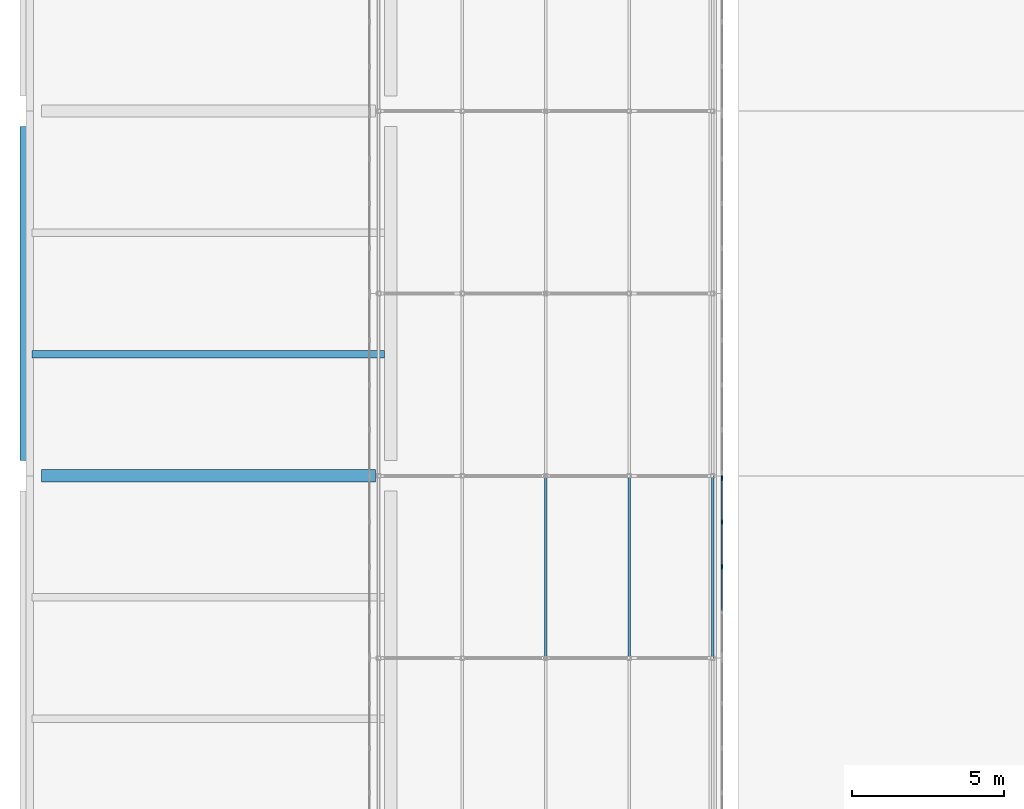
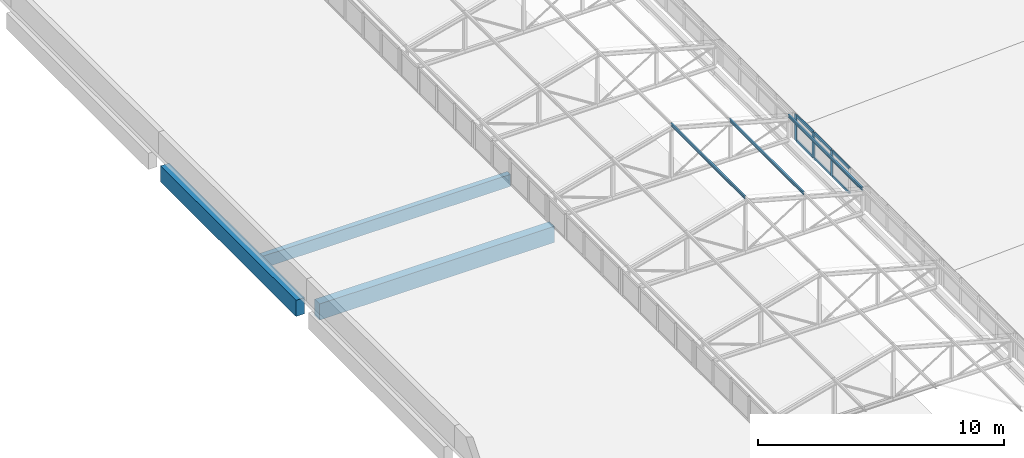
# One storey, part 31 of 94: 12 members, 3 beams, 1 element without a shape of its own.
"""IFC4 building model written with IfcOpenShell, lengths in metres."""

from ifc_helpers import new_model, si_unit, direction, frame, origin, origin_2d, place, context, subcontext, project, spatial, rectangle, i_section, extrude, material, layer, layer_set, material_profile, profile_set, type_object, element, aggregate, save


model = new_model("IFC4")

# Units and contexts
model_context = context("Model", 3, precision=1e-05, world=origin(), true_north=direction((0.0, 1.0)))
body_context = subcontext(model_context, "Body", "Model", "MODEL_VIEW")
ifc_project = project(units=[si_unit("LENGTHUNIT", "METRE"), si_unit("AREAUNIT", "SQUARE_METRE"), si_unit("VOLUMEUNIT", "CUBIC_METRE"), si_unit("PLANEANGLEUNIT", "RADIAN"), si_unit("MASSUNIT", "GRAM", prefix="KILO")], contexts=[model_context])

# Site, building, storey
site_placement = place(None, origin())
site = spatial("IfcSite", under=ifc_project, at=site_placement, CompositionType="ELEMENT")
building_placement = place(site_placement, origin())
building = spatial("IfcBuilding", under=site, at=building_placement, Name="Lilac Gate Convention Centre", CompositionType="ELEMENT")
storey_placement = place(building_placement, frame((0.0, 0.0, 21.0)))
storey = spatial("IfcBuildingStorey", under=building, at=storey_placement, Name="L04", CompositionType="ELEMENT", Elevation=21.0)

# Curtain wall, members
ifc_material_1 = material(Name="Aluminium framed double glazing", Category="aluminium")
ifc_layer = layer(ifc_material_1, 0.199951171875)
ifc_layer_set = layer_set([ifc_layer], Name="Aluminium framed double glazing")
curtain_wall_type = type_object("IfcCurtainWallType", Name="Unitised curtain wall 1500", PredefinedType="NOTDEFINED", material=ifc_layer_set)
curtain_wall_placement = place(storey_placement, origin())
curtain_wall = element("IfcCurtainWall", 1, at=curtain_wall_placement, inside=storey, type_object=curtain_wall_type, Name="Lantern clerestory E 16", PredefinedType="NOTDEFINED")
ifc_material_2 = material(Name="Aluminium alloy 6063", Category="aluminium")
ifc_material_profile_1 = material_profile(ifc_material_2, rectangle(XDim=0.06005859375, YDim=0.159912109375, at=origin_2d()), Name="Curtain wall mullion 60 x 160")
ifc_profile_set_1 = profile_set([ifc_material_profile_1], Name="Aluminium alloy 6063")
member_type_1 = type_object("IfcMemberType", Name="Curtain wall mullion 60 x 160", PredefinedType="MULLION", material=ifc_profile_set_1)
member_1_placement = place(storey_placement, frame((28.89990234375, 123.012451171875, 0.0), z_axis=(0.0, 0.0, 1.0), x_axis=(-1.0, 0.0, 0.0)))
member_1 = element("IfcMember", 2, at=member_1_placement, type_object=member_type_1, Name="CW mullion 3", PredefinedType="MULLION", context=body_context, shape_type="SweptSolid", body=[
    extrude(rectangle(XDim=0.06005859375, YDim=0.159912109375, at=origin_2d()), origin(), (0.0, 0.0, 1.0), 1.272216796875),
])
member_2_placement = place(storey_placement, frame((28.89990234375, 124.481201171875, 0.0), z_axis=(0.0, 0.0, 1.0), x_axis=(-1.0, 0.0, 0.0)))
member_2 = element("IfcMember", 3, at=member_2_placement, type_object=member_type_1, Name="CW mullion 4", PredefinedType="MULLION", context=body_context, shape_type="SweptSolid", body=[
    extrude(rectangle(XDim=0.06005859375, YDim=0.159912109375, at=origin_2d()), origin(), (0.0, 0.0, 1.0), 1.272216796875),
])
member_3_placement = place(storey_placement, frame((28.89990234375, 125.919921875, 0.0), z_axis=(0.0, 0.0, 1.0), x_axis=(-1.0, 0.0, 0.0)))
member_3 = element("IfcMember", 4, at=member_3_placement, type_object=member_type_1, Name="CW mullion 5", PredefinedType="MULLION", context=body_context, shape_type="SweptSolid", body=[
    extrude(rectangle(XDim=0.06005859375, YDim=0.159912109375, at=origin_2d()), origin(), (0.0, 0.0, 1.0), 1.272216796875),
])
ifc_material_profile_2 = material_profile(ifc_material_2, rectangle(XDim=0.06005859375, YDim=0.1201171875, at=origin_2d()), Name="Curtain wall transom 60 x 120")
ifc_profile_set_2 = profile_set([ifc_material_profile_2], Name="Aluminium alloy 6063")
member_type_2 = type_object("IfcMemberType", Name="Curtain wall transom 60 x 120", PredefinedType="USERDEFINED", material=ifc_profile_set_2)
member_4_placement = place(storey_placement, frame((28.89990234375, 121.57373046875, 0.030029296875), z_axis=(0.0, 1.0, 0.0), x_axis=(-1.0, 0.0, 0.0)))
member_4 = element("IfcMember", 5, at=member_4_placement, type_object=member_type_2, Name="CW transom 2.1", ObjectType="TRANSOM", PredefinedType="USERDEFINED", context=body_context, shape_type="SweptSolid", body=[
    extrude(rectangle(XDim=0.06005859375, YDim=0.1201171875, at=origin_2d()), origin(), (0.0, 0.0, 1.0), 1.40869140625),
])
member_5_placement = place(storey_placement, frame((28.89990234375, 121.57373046875, 1.2421875), z_axis=(0.0, 1.0, 0.0), x_axis=(-1.0, 0.0, 0.0)))
member_5 = element("IfcMember", 6, at=member_5_placement, type_object=member_type_2, Name="CW transom 2.2", ObjectType="TRANSOM", PredefinedType="USERDEFINED", context=body_context, shape_type="SweptSolid", body=[
    extrude(rectangle(XDim=0.06005859375, YDim=0.1201171875, at=origin_2d()), origin(), (0.0, 0.0, 1.0), 1.40869140625),
])
member_6_placement = place(storey_placement, frame((28.89990234375, 123.04248046875, 0.030029296875), z_axis=(0.0, 1.0, 0.0), x_axis=(-1.0, 0.0, 0.0)))
member_6 = element("IfcMember", 7, at=member_6_placement, type_object=member_type_2, Name="CW transom 3.1", ObjectType="TRANSOM", PredefinedType="USERDEFINED", context=body_context, shape_type="SweptSolid", body=[
    extrude(rectangle(XDim=0.06005859375, YDim=0.1201171875, at=origin_2d()), origin(), (0.0, 0.0, 1.0), 1.40869140625),
])
member_7_placement = place(storey_placement, frame((28.89990234375, 123.04248046875, 1.2421875), z_axis=(0.0, 1.0, 0.0), x_axis=(-1.0, 0.0, 0.0)))
member_7 = element("IfcMember", 8, at=member_7_placement, type_object=member_type_2, Name="CW transom 3.2", ObjectType="TRANSOM", PredefinedType="USERDEFINED", context=body_context, shape_type="SweptSolid", body=[
    extrude(rectangle(XDim=0.06005859375, YDim=0.1201171875, at=origin_2d()), origin(), (0.0, 0.0, 1.0), 1.40869140625),
])
member_8_placement = place(storey_placement, frame((28.89990234375, 124.51123046875, 0.030029296875), z_axis=(0.0, 1.0, 0.0), x_axis=(-1.0, 0.0, 0.0)))
member_8 = element("IfcMember", 9, at=member_8_placement, type_object=member_type_2, Name="CW transom 4.1", ObjectType="TRANSOM", PredefinedType="USERDEFINED", context=body_context, shape_type="SweptSolid", body=[
    extrude(rectangle(XDim=0.06005859375, YDim=0.1201171875, at=origin_2d()), origin(), (0.0, 0.0, 1.0), 1.378662109375),
])
member_9_placement = place(storey_placement, frame((28.89990234375, 124.51123046875, 1.2421875), z_axis=(0.0, 1.0, 0.0), x_axis=(-1.0, 0.0, 0.0)))
member_9 = element("IfcMember", 10, at=member_9_placement, type_object=member_type_2, Name="CW transom 4.2", ObjectType="TRANSOM", PredefinedType="USERDEFINED", context=body_context, shape_type="SweptSolid", body=[
    extrude(rectangle(XDim=0.06005859375, YDim=0.1201171875, at=origin_2d()), origin(), (0.0, 0.0, 1.0), 1.378662109375),
])
aggregate(curtain_wall, [member_1, member_2, member_3, member_4, member_5, member_6, member_7, member_8, member_9])

# Members
ifc_material_3 = material(Name="Steel Q355B", Category="steel")
ifc_material_profile_3 = material_profile(ifc_material_3, i_section(OverallWidth=0.074951171875, OverallDepth=0.14990234375, WebThickness=0.0048828125, FlangeThickness=0.007080078125, FilletRadius=0.008056640625, at=origin_2d()), Name="HN150x75x5x7")
ifc_profile_set_3 = profile_set([ifc_material_profile_3], Name="Steel Q355B")
member_type_3 = type_object("IfcMemberType", Name="Lantern purlin HN150x75x5x7", PredefinedType="PURLIN", material=ifc_profile_set_3)
for number, where, z_axis, x_axis, name in (
    (11, (23.10009765625, 120.0, 2.779052734375), (0.0, 1.0, 0.0), (-1.0, 0.0, 0.0), "LP1 lantern purlin bay 16 line 3"),
    (12, (25.85009765625, 120.0, 2.029052734375), (0.0, 1.0, 0.0), (-1.0, 0.0, 0.0), "LP1 lantern purlin bay 16 line 4"),
    (13, (28.60009765625, 120.0, 1.279052734375), (0.0, 1.0, 0.0), (-1.0, 0.0, 0.0), "LP1 lantern purlin bay 16 line 5"),
):
    element("IfcMember", number, at=place(storey_placement, frame(where, z_axis=z_axis, x_axis=x_axis)), inside=storey, type_object=member_type_3, Name=name, PredefinedType="PURLIN", context=body_context, shape_type="SweptSolid", body=[
        extrude(i_section(OverallWidth=0.074951171875, OverallDepth=0.14990234375, WebThickness=0.0048828125, FlangeThickness=0.007080078125, FilletRadius=0.008056640625, at=origin_2d()), origin(), (0.0, 0.0, 1.0), 6.0),
    ])

# Beams
ifc_material_4 = material(Name="Concrete C40", Category="concrete")
ifc_material_profile_4 = material_profile(ifc_material_4, rectangle(XDim=0.39990234375, YDim=0.800048828125, at=origin_2d()), Name="RC 400x800")
ifc_profile_set_4 = profile_set([ifc_material_profile_4], Name="Concrete C40")
beam_type_1 = type_object("IfcBeamType", Name="Tower primary beam 400x800 C40", PredefinedType="BEAM", material=ifc_profile_set_4)
for number, where, z_axis, x_axis, name in (
    (14, (6.5, 126.0, -0.60009765625), (1.0, 0.0, 0.0), (0.0, 1.0, 0.0), "RB3 L04 1/J-2/J"),
    (15, (6.0, 126.5, -0.60009765625), (0.0, 1.0, 0.0), (-1.0, 0.0, 0.0), "RB3 L04 1/J-1/K"),
):
    element("IfcBeam", number, at=place(storey_placement, frame(where, z_axis=z_axis, x_axis=x_axis)), inside=storey, type_object=beam_type_1, Name=name, PredefinedType="BEAM", context=body_context, shape_type="SweptSolid", body=[
        extrude(rectangle(XDim=0.39990234375, YDim=0.800048828125, at=origin_2d()), origin(), (0.0, 0.0, 1.0), 11.0),
    ])
ifc_material_profile_5 = material_profile(ifc_material_4, rectangle(XDim=0.25, YDim=0.60009765625, at=origin_2d()), Name="RC 250x600")
ifc_profile_set_5 = profile_set([ifc_material_profile_5], Name="Concrete C40")
beam_type_2 = type_object("IfcBeamType", Name="Tower secondary beam 250x600 C40", PredefinedType="BEAM", material=ifc_profile_set_5)
beam_placement = place(storey_placement, frame((6.199951171875, 130.0, -0.5), z_axis=(1.0, 0.0, 0.0), x_axis=(0.0, 1.0, 0.0)))
element("IfcBeam", 16, at=beam_placement, inside=storey, type_object=beam_type_2, Name="RB4 L04 bay 1/J", PredefinedType="BEAM", context=body_context, shape_type="SweptSolid", body=[
    extrude(rectangle(XDim=0.25, YDim=0.60009765625, at=origin_2d()), origin(), (0.0, 0.0, 1.0), 11.60009765625),
])

save(model, "model.ifc")
